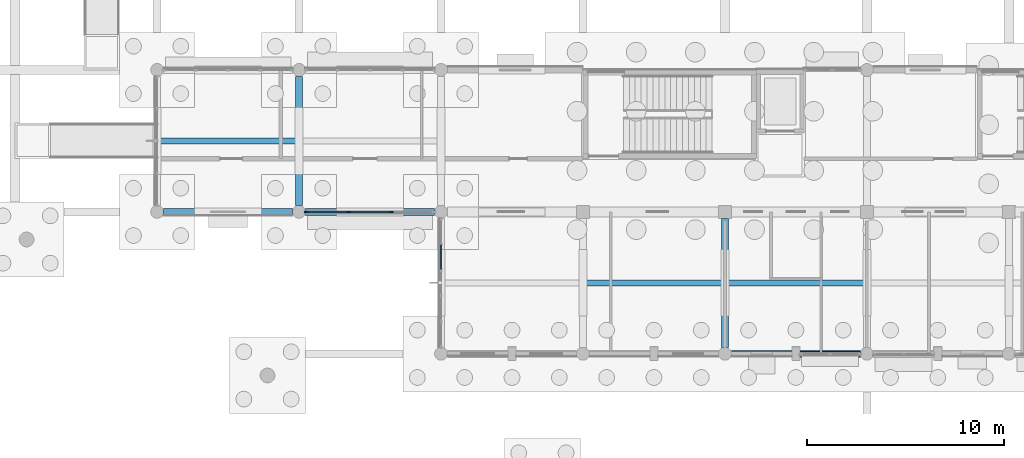
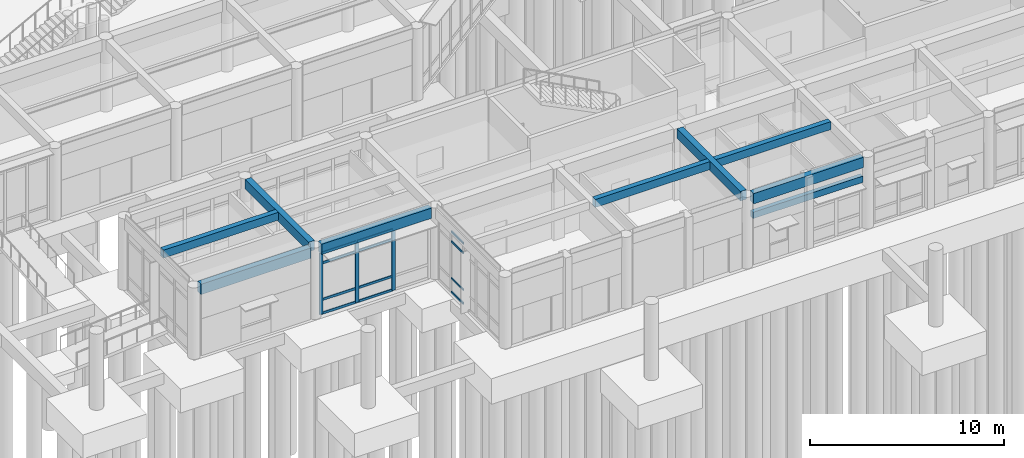
# One storey, part 12 of 103: 15 members, 9 beams, 2 elements without a shape of their own.
"""IFC4 building model written with IfcOpenShell, lengths in metres."""

from ifc_helpers import new_model, si_unit, direction, frame, origin, origin_2d, place, context, subcontext, project, spatial, rectangle, extrude, material, layer, layer_set, material_profile, profile_set, type_object, element, aggregate, save


model = new_model("IFC4")

# Units and contexts
model_context = context("Model", 3, precision=1e-05, world=origin(), true_north=direction((0.0, 1.0)))
body_context = subcontext(model_context, "Body", "Model", "MODEL_VIEW")
ifc_project = project(units=[si_unit("LENGTHUNIT", "METRE"), si_unit("AREAUNIT", "SQUARE_METRE"), si_unit("VOLUMEUNIT", "CUBIC_METRE"), si_unit("PLANEANGLEUNIT", "RADIAN"), si_unit("MASSUNIT", "GRAM", prefix="KILO")], contexts=[model_context])

# Site, building, storey
site_placement = place(None, origin())
site = spatial("IfcSite", under=ifc_project, at=site_placement, CompositionType="ELEMENT")
building_placement = place(site_placement, origin())
building = spatial("IfcBuilding", under=site, at=building_placement, Name="Namkhue Oval Health Centre", CompositionType="ELEMENT")
storey_placement = place(building_placement, origin())
storey = spatial("IfcBuildingStorey", under=building, at=storey_placement, Name="L00", CompositionType="ELEMENT", Elevation=0.0)

# Curtain wall, members
ifc_material_1 = material(Name="Anodised aluminium EN AW-6063 T6", Category="aluminium")
ifc_layer_1 = layer(ifc_material_1, 0.159912109375)
ifc_layer_set_1 = layer_set([ifc_layer_1], Name="Anodised aluminium EN AW-6063 T6")
curtain_wall_type_1 = type_object("IfcCurtainWallType", Name="UNITISED CURTAIN WALL M2000", PredefinedType="NOTDEFINED", material=ifc_layer_set_1)
curtain_wall_1_placement = place(storey_placement, origin())
curtain_wall_1 = element("IfcCurtainWall", 1, at=curtain_wall_1_placement, inside=storey, type_object=curtain_wall_type_1, Name="Volume V4 L00 Unitised Curtain Wall 144", PredefinedType="NOTDEFINED")
ifc_material_profile_1 = material_profile(ifc_material_1, rectangle(XDim=0.074951171875, YDim=0.199951171875, at=origin_2d()), Name="ALU 75x200")
ifc_profile_set_1 = profile_set([ifc_material_profile_1], Name="Anodised aluminium EN AW-6063 T6")
member_type_1 = type_object("IfcMemberType", Name="CURTAIN WALL MULLION 75X200", PredefinedType="MULLION", material=ifc_profile_set_1)
member_1_placement = place(storey_placement, frame((43.572509765625, 21.60009765625, 0.0), z_axis=(0.0, 0.0, 1.0), x_axis=(0.0, 1.0, 0.0)))
member_1 = element("IfcMember", 2, at=member_1_placement, type_object=member_type_1, Name="CW-06 mullion 1", PredefinedType="MULLION", context=body_context, shape_type="SweptSolid", body=[
    extrude(rectangle(XDim=0.074951171875, YDim=0.199951171875, at=origin_2d()), origin(), (0.0, 0.0, 1.0), 3.860107421875),
])
member_2_placement = place(storey_placement, frame((45.711669921875, 21.60009765625, 0.0), z_axis=(0.0, 0.0, 1.0), x_axis=(0.0, 1.0, 0.0)))
member_2 = element("IfcMember", 3, at=member_2_placement, type_object=member_type_1, Name="CW-06 mullion 2", PredefinedType="MULLION", context=body_context, shape_type="SweptSolid", body=[
    extrude(rectangle(XDim=0.074951171875, YDim=0.199951171875, at=origin_2d()), origin(), (0.0, 0.0, 1.0), 3.860107421875),
])
member_3_placement = place(storey_placement, frame((47.888427734375, 21.60009765625, 0.0), z_axis=(0.0, 0.0, 1.0), x_axis=(0.0, 1.0, 0.0)))
member_3 = element("IfcMember", 4, at=member_3_placement, type_object=member_type_1, Name="CW-06 mullion 3", PredefinedType="MULLION", context=body_context, shape_type="SweptSolid", body=[
    extrude(rectangle(XDim=0.074951171875, YDim=0.199951171875, at=origin_2d()), origin(), (0.0, 0.0, 1.0), 3.860107421875),
])

ifc_layer_2 = layer(ifc_material_1, 0.159912109375)
ifc_layer_set_2 = layer_set([ifc_layer_2], Name="Anodised aluminium EN AW-6063 T6")
curtain_wall_type_2 = type_object("IfcCurtainWallType", Name="UNITISED CURTAIN WALL M1200", PredefinedType="NOTDEFINED", material=ifc_layer_set_2)
curtain_wall_2_placement = place(storey_placement, origin())
curtain_wall_2 = element("IfcCurtainWall", 5, at=curtain_wall_2_placement, inside=storey, type_object=curtain_wall_type_2, Name="Volume V4 L00 Unitised Curtain Wall 145", PredefinedType="NOTDEFINED")
ifc_material_profile_2 = material_profile(ifc_material_1, rectangle(XDim=0.06494140625, YDim=0.1201171875, at=origin_2d()), Name="ALU 65x120")
ifc_profile_set_2 = profile_set([ifc_material_profile_2], Name="Anodised aluminium EN AW-6063 T6")
member_type_2 = type_object("IfcMemberType", Name="CURTAIN WALL TRANSOM 65X120", PredefinedType="USERDEFINED", material=ifc_profile_set_2)
member_4_placement = place(storey_placement, frame((50.39990234375, 19.926513671875, 0.032470703125), z_axis=(0.0, -1.0, 0.0), x_axis=(1.0, 0.0, 0.0)))
member_4 = element("IfcMember", 6, at=member_4_placement, type_object=member_type_2, Name="CW-01 transom 2.1", ObjectType="TRANSOM", PredefinedType="USERDEFINED", context=body_context, shape_type="SweptSolid", body=[
    extrude(rectangle(XDim=0.06494140625, YDim=0.1201171875, at=origin_2d()), origin(), (0.0, 0.0, 1.0), 1.240966796875),
])
member_5_placement = place(storey_placement, frame((50.39990234375, 19.926513671875, 0.89990234375), z_axis=(0.0, -1.0, 0.0), x_axis=(1.0, 0.0, 0.0)))
member_5 = element("IfcMember", 7, at=member_5_placement, type_object=member_type_2, Name="CW-01 transom 2.2", ObjectType="TRANSOM", PredefinedType="USERDEFINED", context=body_context, shape_type="SweptSolid", body=[
    extrude(rectangle(XDim=0.06494140625, YDim=0.1201171875, at=origin_2d()), origin(), (0.0, 0.0, 1.0), 1.240966796875),
])
member_6_placement = place(storey_placement, frame((50.39990234375, 19.926513671875, 3.2099609375), z_axis=(0.0, -1.0, 0.0), x_axis=(1.0, 0.0, 0.0)))
member_6 = element("IfcMember", 8, at=member_6_placement, type_object=member_type_2, Name="CW-01 transom 2.3", ObjectType="TRANSOM", PredefinedType="USERDEFINED", context=body_context, shape_type="SweptSolid", body=[
    extrude(rectangle(XDim=0.06494140625, YDim=0.1201171875, at=origin_2d()), origin(), (0.0, 0.0, 1.0), 1.240966796875),
])
member_7_placement = place(storey_placement, frame((50.39990234375, 19.926513671875, 3.827392578125), z_axis=(0.0, -1.0, 0.0), x_axis=(1.0, 0.0, 0.0)))
member_7 = element("IfcMember", 9, at=member_7_placement, type_object=member_type_2, Name="CW-01 transom 2.4", ObjectType="TRANSOM", PredefinedType="USERDEFINED", context=body_context, shape_type="SweptSolid", body=[
    extrude(rectangle(XDim=0.06494140625, YDim=0.1201171875, at=origin_2d()), origin(), (0.0, 0.0, 1.0), 1.240966796875),
])
aggregate(curtain_wall_2, [member_4, member_5, member_6, member_7])

# Member
ifc_material_profile_3 = material_profile(ifc_material_1, rectangle(XDim=0.074951171875, YDim=0.14990234375, at=origin_2d()), Name="ALU 75x150")
ifc_profile_set_3 = profile_set([ifc_material_profile_3], Name="Anodised aluminium EN AW-6063 T6")
member_type_3 = type_object("IfcMemberType", Name="CURTAIN WALL TRANSOM 75X150", PredefinedType="USERDEFINED", material=ifc_profile_set_3)
member_8_placement = place(storey_placement, frame((43.610107421875, 21.60009765625, 0.03759765625), z_axis=(1.0, 0.0, 0.0), x_axis=(0.0, 1.0, 0.0)))
member_8 = element("IfcMember", 10, at=member_8_placement, type_object=member_type_3, Name="CW-06 transom 1.1", ObjectType="TRANSOM", PredefinedType="USERDEFINED", context=body_context, shape_type="SweptSolid", body=[
    extrude(rectangle(XDim=0.074951171875, YDim=0.14990234375, at=origin_2d()), origin(), (0.0, 0.0, 1.0), 2.06396484375),
])

member_9_placement = place(storey_placement, frame((43.610107421875, 21.60009765625, 0.89990234375), z_axis=(1.0, 0.0, 0.0), x_axis=(0.0, 1.0, 0.0)))
member_9 = element("IfcMember", 11, at=member_9_placement, type_object=member_type_3, Name="CW-06 transom 1.2", ObjectType="TRANSOM", PredefinedType="USERDEFINED", context=body_context, shape_type="SweptSolid", body=[
    extrude(rectangle(XDim=0.074951171875, YDim=0.14990234375, at=origin_2d()), origin(), (0.0, 0.0, 1.0), 2.06396484375),
])

member_10_placement = place(storey_placement, frame((43.610107421875, 21.60009765625, 3.2099609375), z_axis=(1.0, 0.0, 0.0), x_axis=(0.0, 1.0, 0.0)))
member_10 = element("IfcMember", 12, at=member_10_placement, type_object=member_type_3, Name="CW-06 transom 1.3", ObjectType="TRANSOM", PredefinedType="USERDEFINED", context=body_context, shape_type="SweptSolid", body=[
    extrude(rectangle(XDim=0.074951171875, YDim=0.14990234375, at=origin_2d()), origin(), (0.0, 0.0, 1.0), 2.06396484375),
])

member_11_placement = place(storey_placement, frame((43.610107421875, 21.60009765625, 3.822509765625), z_axis=(1.0, 0.0, 0.0), x_axis=(0.0, 1.0, 0.0)))
member_11 = element("IfcMember", 13, at=member_11_placement, type_object=member_type_3, Name="CW-06 transom 1.4", ObjectType="TRANSOM", PredefinedType="USERDEFINED", context=body_context, shape_type="SweptSolid", body=[
    extrude(rectangle(XDim=0.074951171875, YDim=0.14990234375, at=origin_2d()), origin(), (0.0, 0.0, 1.0), 2.06396484375),
])

member_12_placement = place(storey_placement, frame((45.749267578125, 21.60009765625, 0.03759765625), z_axis=(1.0, 0.0, 0.0), x_axis=(0.0, 1.0, 0.0)))
member_12 = element("IfcMember", 14, at=member_12_placement, type_object=member_type_3, Name="CW-06 transom 2.1", ObjectType="TRANSOM", PredefinedType="USERDEFINED", context=body_context, shape_type="SweptSolid", body=[
    extrude(rectangle(XDim=0.074951171875, YDim=0.14990234375, at=origin_2d()), origin(), (0.0, 0.0, 1.0), 2.1015625),
])

member_13_placement = place(storey_placement, frame((45.749267578125, 21.60009765625, 0.89990234375), z_axis=(1.0, 0.0, 0.0), x_axis=(0.0, 1.0, 0.0)))
member_13 = element("IfcMember", 15, at=member_13_placement, type_object=member_type_3, Name="CW-06 transom 2.2", ObjectType="TRANSOM", PredefinedType="USERDEFINED", context=body_context, shape_type="SweptSolid", body=[
    extrude(rectangle(XDim=0.074951171875, YDim=0.14990234375, at=origin_2d()), origin(), (0.0, 0.0, 1.0), 2.1015625),
])

member_14_placement = place(storey_placement, frame((45.749267578125, 21.60009765625, 3.2099609375), z_axis=(1.0, 0.0, 0.0), x_axis=(0.0, 1.0, 0.0)))
member_14 = element("IfcMember", 16, at=member_14_placement, type_object=member_type_3, Name="CW-06 transom 2.3", ObjectType="TRANSOM", PredefinedType="USERDEFINED", context=body_context, shape_type="SweptSolid", body=[
    extrude(rectangle(XDim=0.074951171875, YDim=0.14990234375, at=origin_2d()), origin(), (0.0, 0.0, 1.0), 2.1015625),
])

member_15_placement = place(storey_placement, frame((45.749267578125, 21.60009765625, 3.822509765625), z_axis=(1.0, 0.0, 0.0), x_axis=(0.0, 1.0, 0.0)))
member_15 = element("IfcMember", 17, at=member_15_placement, type_object=member_type_3, Name="CW-06 transom 2.4", ObjectType="TRANSOM", PredefinedType="USERDEFINED", context=body_context, shape_type="SweptSolid", body=[
    extrude(rectangle(XDim=0.074951171875, YDim=0.14990234375, at=origin_2d()), origin(), (0.0, 0.0, 1.0), 2.1015625),
])

aggregate(curtain_wall_1, [member_1, member_2, member_3, member_8, member_9, member_10, member_11, member_12, member_13, member_14, member_15])

# Beams
ifc_material_2 = material(Name="Reinforced concrete C30/37 (TCVN B35)", Category="concrete")
ifc_material_profile_4 = material_profile(ifc_material_2, rectangle(XDim=0.35009765625, YDim=0.60009765625, at=origin_2d()), Name="RC 350x600")
ifc_profile_set_4 = profile_set([ifc_material_profile_4], Name="Reinforced concrete C30/37 (TCVN B35)")
beam_type_1 = type_object("IfcBeamType", Name="FLOOR BEAM RC 350X600", PredefinedType="BEAM", material=ifc_profile_set_4)
beam_1_placement = place(storey_placement, frame((43.199951171875, 21.925048828125, 4.2099609375), z_axis=(0.0, 1.0, 0.0), x_axis=(-1.0, 0.0, 0.0)))
element("IfcBeam", 18, at=beam_1_placement, inside=storey, type_object=beam_type_1, Name="Volume V4 L01 Beam 7/D-E", PredefinedType="BEAM", context=body_context, shape_type="SweptSolid", body=[
    extrude(rectangle(XDim=0.35009765625, YDim=0.60009765625, at=origin_2d()), origin(), (0.0, 0.0, 1.0), 6.550048828125),
])
beam_2_placement = place(storey_placement, frame((64.800048828125, 14.72509765625, 4.2099609375), z_axis=(0.0, 1.0, 0.0), x_axis=(-1.0, 0.0, 0.0)))
element("IfcBeam", 19, at=beam_2_placement, inside=storey, type_object=beam_type_1, Name="Volume V4 L01 Beam 10/C-D", PredefinedType="BEAM", context=body_context, shape_type="SweptSolid", body=[
    extrude(rectangle(XDim=0.35009765625, YDim=0.60009765625, at=origin_2d()), origin(), (0.0, 0.0, 1.0), 6.5498046875),
])
ifc_material_profile_5 = material_profile(ifc_material_2, rectangle(XDim=0.25, YDim=0.39990234375, at=origin_2d()), Name="RC 250x400")
ifc_profile_set_5 = profile_set([ifc_material_profile_5], Name="Reinforced concrete C30/37 (TCVN B35)")
beam_type_2 = type_object("IfcBeamType", Name="OPENING LINTEL BEAM 250X400", PredefinedType="LINTEL", material=ifc_profile_set_5)
beam_3_placement = place(storey_placement, frame((65.125, 14.39990234375, 3.10009765625), z_axis=(1.0, 0.0, 0.0), x_axis=(0.0, 1.0, 0.0)))
element("IfcBeam", 20, at=beam_3_placement, inside=storey, type_object=beam_type_2, Name="Volume V4 L00 Portal Lintel Beam 8", PredefinedType="LINTEL", context=body_context, shape_type="SweptSolid", body=[
    extrude(rectangle(XDim=0.25, YDim=0.39990234375, at=origin_2d()), origin(), (0.0, 0.0, 1.0), 6.550048828125),
])
ifc_material_3 = material(Name="Reinforced concrete C35/45 (TCVN B40)", Category="concrete")
ifc_material_profile_6 = material_profile(ifc_material_3, rectangle(XDim=0.35009765625, YDim=0.64990234375, at=origin_2d()), Name="RC 350x650")
ifc_profile_set_6 = profile_set([ifc_material_profile_6], Name="Reinforced concrete C35/45 (TCVN B40)")
beam_type_3 = type_object("IfcBeamType", Name="PERIMETER SPANDREL BEAM 350X650", PredefinedType="SPANDREL", material=ifc_profile_set_6)
for number, where, z_axis, x_axis, name in (
    (21, (65.125, 14.39990234375, 4.18505859375), (1.0, 0.0, 0.0), (0.0, 1.0, 0.0), "Volume V4 L01 Girder C/10-11"),
    (22, (36.324951171875, 21.60009765625, 4.18505859375), (1.0, 0.0, 0.0), (0.0, 1.0, 0.0), "Volume V4 L01 Girder D/6-7"),
    (23, (43.52490234375, 21.60009765625, 4.18505859375), (1.0, 0.0, 0.0), (0.0, 1.0, 0.0), "Volume V4 L01 Girder D/7-8"),
):
    element("IfcBeam", number, at=place(storey_placement, frame(where, z_axis=z_axis, x_axis=x_axis)), inside=storey, type_object=beam_type_3, Name=name, PredefinedType="SPANDREL", context=body_context, shape_type="SweptSolid", body=[
        extrude(rectangle(XDim=0.35009765625, YDim=0.64990234375, at=origin_2d()), origin(), (0.0, 0.0, 1.0), 6.550048828125),
    ])
ifc_material_profile_7 = material_profile(ifc_material_2, rectangle(XDim=0.300048828125, YDim=0.5, at=origin_2d()), Name="RC 300x500")
ifc_profile_set_7 = profile_set([ifc_material_profile_7], Name="Reinforced concrete C30/37 (TCVN B35)")
beam_type_4 = type_object("IfcBeamType", Name="SECONDARY JOIST RC 300X500", PredefinedType="JOIST", material=ifc_profile_set_7)
beam_4_placement = place(storey_placement, frame((36.175048828125, 25.199951171875, 4.260009765625), z_axis=(1.0, 0.0, 0.0), x_axis=(0.0, 1.0, 0.0)))
element("IfcBeam", 24, at=beam_4_placement, inside=storey, type_object=beam_type_4, Name="Volume V4 L01 Secondary Joist 6-7", PredefinedType="JOIST", context=body_context, shape_type="SweptSolid", body=[
    extrude(rectangle(XDim=0.300048828125, YDim=0.5, at=origin_2d()), origin(), (0.0, 0.0, 1.0), 6.849853515625),
])
beam_5_placement = place(storey_placement, frame((57.77490234375, 18.0, 4.260009765625), z_axis=(1.0, 0.0, 0.0), x_axis=(0.0, 1.0, 0.0)))
element("IfcBeam", 25, at=beam_5_placement, inside=storey, type_object=beam_type_4, Name="Volume V4 L01 Secondary Joist 9-10", PredefinedType="JOIST", context=body_context, shape_type="SweptSolid", body=[
    extrude(rectangle(XDim=0.300048828125, YDim=0.5, at=origin_2d()), origin(), (0.0, 0.0, 1.0), 6.85009765625),
])
beam_6_placement = place(storey_placement, frame((64.97509765625, 18.0, 4.260009765625), z_axis=(1.0, 0.0, 0.0), x_axis=(0.0, 1.0, 0.0)))
element("IfcBeam", 26, at=beam_6_placement, inside=storey, type_object=beam_type_4, Name="Volume V4 L01 Secondary Joist 10-11", PredefinedType="JOIST", context=body_context, shape_type="SweptSolid", body=[
    extrude(rectangle(XDim=0.300048828125, YDim=0.5, at=origin_2d()), origin(), (0.0, 0.0, 1.0), 6.849853515625),
])

save(model, "model.ifc")
